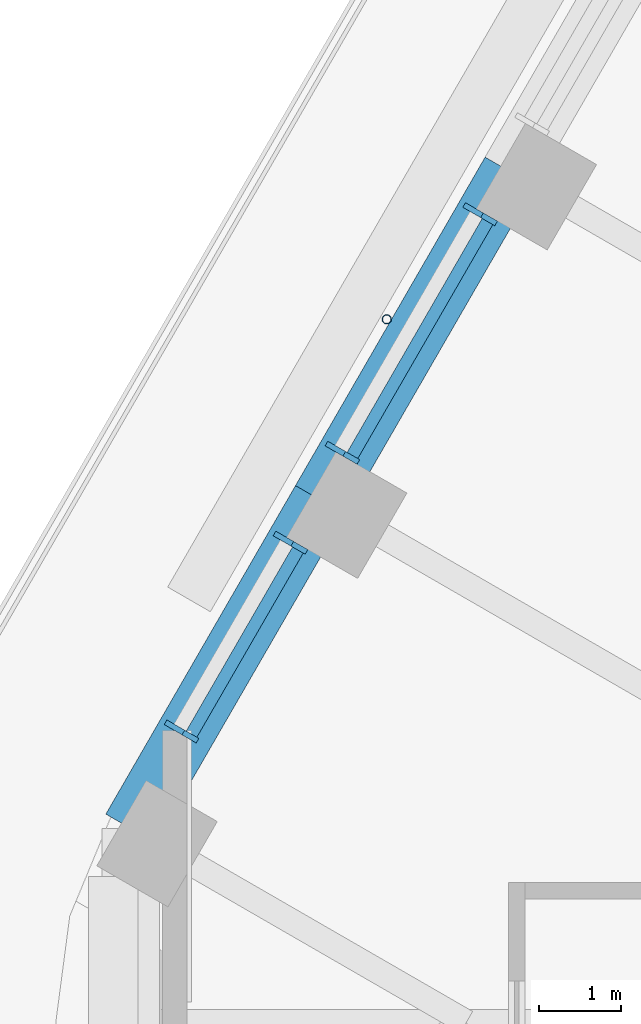
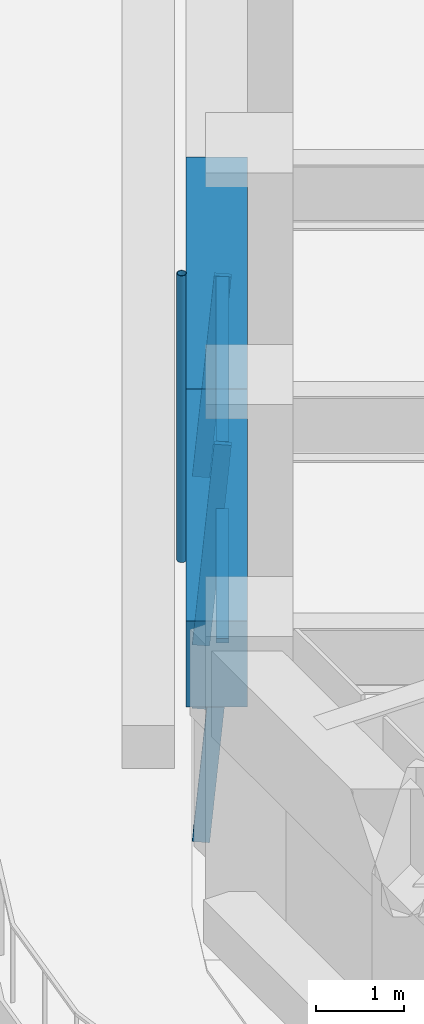
# One storey, part 6 of 20: 7 members, 2 beams, 2 elements without a shape of their own.
"""IFC4 building model written with IfcOpenShell, lengths in metres."""

from ifc_helpers import new_model, si_unit, direction, frame, origin, origin_2d, place, context, subcontext, project, spatial, rectangle, hollow_circle, extrude, material, material_profile, profile_set, type_object, element, aggregate, save


model = new_model("IFC4")

# Units and contexts
model_context = context("Model", 3, precision=1e-05, world=origin(), true_north=direction((0.0, 1.0)))
body_context = subcontext(model_context, "Body", "Model", "MODEL_VIEW")
ifc_project = project(units=[si_unit("LENGTHUNIT", "METRE"), si_unit("AREAUNIT", "SQUARE_METRE"), si_unit("VOLUMEUNIT", "CUBIC_METRE"), si_unit("PLANEANGLEUNIT", "RADIAN"), si_unit("MASSUNIT", "GRAM", prefix="KILO")], contexts=[model_context])

# Site, building, storey
site_placement = place(None, origin())
site = spatial("IfcSite", under=ifc_project, at=site_placement, CompositionType="ELEMENT")
building_placement = place(site_placement, origin())
building = spatial("IfcBuilding", under=site, at=building_placement, Name="Tarfa Lantern Tower", CompositionType="ELEMENT")
storey_placement = place(building_placement, frame((0.0, 0.0, 257.5)))
storey = spatial("IfcBuildingStorey", under=building, at=storey_placement, Name="L58", CompositionType="ELEMENT", Elevation=257.5)

# Curtain wall, members
ifc_material_1 = material(Name="Aluminium framed curtain wall", Category="aluminium")
curtain_wall_type = type_object("IfcCurtainWallType", Name="CW3 CANTED GLAZING HIGH ZONE 2800", PredefinedType="USERDEFINED", material=ifc_material_1)
curtain_wall_1_placement = place(storey_placement, origin())
curtain_wall_1 = element("IfcCurtainWall", 1, at=curtain_wall_1_placement, inside=storey, type_object=curtain_wall_type, Name="CW3 NW L58", ObjectType="CURTAIN WALL", PredefinedType="USERDEFINED")
ifc_material_2 = material(Name="Aluminium mullion", Category="aluminium")
ifc_material_profile_1 = material_profile(ifc_material_2, rectangle(XDim=0.06494140625, YDim=0.199951171875, at=origin_2d()), Name="AL MULLION 65x200")
ifc_profile_set_1 = profile_set([ifc_material_profile_1], Name="Aluminium mullion")
member_type_1 = type_object("IfcMemberType", Name="CWM1 MULLION 65x200", PredefinedType="MULLION", material=ifc_profile_set_1)
member_1_placement = place(storey_placement, frame((-27.65380859375, 9.90234375, 0.0), z_axis=(0.077032386753, -0.044465143199, 0.996036576854), x_axis=(0.499919672301, 0.866071776036, 0.0)))
member_1 = element("IfcMember", 2, at=member_1_placement, type_object=member_type_1, Name="CW3 mullion 1", PredefinedType="MULLION", context=body_context, shape_type="SweptSolid", body=[
    extrude(rectangle(XDim=0.06494140625, YDim=0.199951171875, at=origin_2d()), origin(), (0.0, 0.0, 1.0), 2.811279296875),
])
member_2_placement = place(storey_placement, frame((-29.33056640625, 6.997802734375, 0.0), z_axis=(0.076946055247, -0.044465440504, 0.996043236603), x_axis=(0.500342721131, 0.865827443207, 0.0)))
member_2 = element("IfcMember", 3, at=member_2_placement, type_object=member_type_1, Name="CW3 mullion 2", PredefinedType="MULLION", context=body_context, shape_type="SweptSolid", body=[
    extrude(rectangle(XDim=0.06494140625, YDim=0.199951171875, at=origin_2d()), origin(), (0.0, 0.0, 1.0), 2.811279296875),
])

curtain_wall_2_placement = place(storey_placement, origin())
curtain_wall_2 = element("IfcCurtainWall", 4, at=curtain_wall_2_placement, inside=storey, type_object=curtain_wall_type, Name="CW3 NW L58", ObjectType="CURTAIN WALL", PredefinedType="USERDEFINED")
member_3_placement = place(storey_placement, frame((-29.963134765625, 5.90234375, 0.0), z_axis=(0.077032386753, -0.044465143199, 0.996036576854), x_axis=(0.499919672301, 0.866071776036, 0.0)))
member_3 = element("IfcMember", 5, at=member_3_placement, type_object=member_type_1, Name="CW3 mullion 1", PredefinedType="MULLION", context=body_context, shape_type="SweptSolid", body=[
    extrude(rectangle(XDim=0.06494140625, YDim=0.199951171875, at=origin_2d()), origin(), (0.0, 0.0, 1.0), 2.811279296875),
])
member_4_placement = place(storey_placement, frame((-31.2900390625, 3.60400390625, 0.0), z_axis=(0.077032386753, -0.044465143199, 0.996036576854), x_axis=(0.499919672301, 0.866071776036, 0.0)))
member_4 = element("IfcMember", 6, at=member_4_placement, type_object=member_type_1, Name="CW3 mullion 2", PredefinedType="MULLION", context=body_context, shape_type="SweptSolid", body=[
    extrude(rectangle(XDim=0.06494140625, YDim=0.199951171875, at=origin_2d()), origin(), (0.0, 0.0, 1.0), 2.811279296875),
])

# Member
ifc_material_3 = material(Name="Aluminium transom", Category="aluminium")
ifc_material_profile_2 = material_profile(ifc_material_3, rectangle(XDim=0.14990234375, YDim=0.06494140625, at=origin_2d()), Name="AL TRANSOM 150x65")
ifc_profile_set_2 = profile_set([ifc_material_profile_2], Name="Aluminium transom")
member_type_2 = type_object("IfcMemberType", Name="CWT1 TRANSOM 150x65", PredefinedType="USERDEFINED", material=ifc_profile_set_2)
member_5_placement = place(storey_placement, frame((-27.4560546875, 9.75048828125, 2.767578125), z_axis=(-0.499979497339, -0.866037240677, 0.0), x_axis=(0.866037240677, -0.499979497339, 0.0)))
member_5 = element("IfcMember", 7, at=member_5_placement, type_object=member_type_2, Name="CW3 transom 1.2", ObjectType="TRANSOM", PredefinedType="USERDEFINED", context=body_context, shape_type="SweptSolid", body=[
    extrude(rectangle(XDim=0.14990234375, YDim=0.06494140625, at=origin_2d()), origin(), (0.0, 0.0, 1.0), 3.288818359375),
])

aggregate(curtain_wall_1, [member_1, member_2, member_5])

member_6_placement = place(storey_placement, frame((-29.765380859375, 5.75048828125, 2.767578125), z_axis=(-0.5000136139, -0.866017543653, 0.0), x_axis=(0.866017543653, -0.5000136139, 0.0)))
member_6 = element("IfcMember", 8, at=member_6_placement, type_object=member_type_2, Name="CW3 transom 1.2", ObjectType="TRANSOM", PredefinedType="USERDEFINED", context=body_context, shape_type="SweptSolid", body=[
    extrude(rectangle(XDim=0.14990234375, YDim=0.06494140625, at=origin_2d()), origin(), (0.0, 0.0, 1.0), 2.5888671875),
])

aggregate(curtain_wall_2, [member_3, member_4, member_6])

# Beams
ifc_material_4 = material(Name="Concrete C80/95", Category="concrete")
ifc_material_profile_3 = material_profile(ifc_material_4, rectangle(XDim=0.699951171875, YDim=1.199951171875, at=origin_2d()), Name="RC 700x1200")
ifc_profile_set_3 = profile_set([ifc_material_profile_3], Name="Concrete C80/95")
beam_type = type_object("IfcBeamType", Name="EB3 RC 700x1200", PredefinedType="SPANDREL", material=ifc_profile_set_3)
beam_1_placement = place(storey_placement, frame((-27.181640625, 10.360107421875, 3.39990234375), z_axis=(-0.499987836815, -0.866032426089, 0.0), x_axis=(0.866032426089, -0.499987836815, 0.0)))
element("IfcBeam", 9, at=beam_1_placement, inside=storey, type_object=beam_type, Name="Edge beam NW4", PredefinedType="SPANDREL", context=body_context, shape_type="SweptSolid", body=[
    extrude(rectangle(XDim=0.699951171875, YDim=1.199951171875, at=origin_2d()), origin(), (0.0, 0.0, 1.0), 4.61865234375),
])
beam_2_placement = place(storey_placement, frame((-29.490966796875, 6.360107421875, 3.39990234375), z_axis=(-0.500027479704, -0.866009537788, 0.0), x_axis=(0.866009537788, -0.500027479704, 0.0)))
element("IfcBeam", 10, at=beam_2_placement, inside=storey, type_object=beam_type, Name="Edge beam NW5", PredefinedType="SPANDREL", context=body_context, shape_type="SweptSolid", body=[
    extrude(rectangle(XDim=0.699951171875, YDim=1.199951171875, at=origin_2d()), origin(), (0.0, 0.0, 1.0), 4.618896484375),
])

# Member
ifc_material_5 = material(Name="Steel S355", Category="steel")
ifc_material_profile_4 = material_profile(ifc_material_5, hollow_circle(Radius=0.05712890625, WallThickness=0.00634765625, at=origin_2d()), Name="CHS114.3x6.3")
ifc_profile_set_4 = profile_set([ifc_material_profile_4], Name="Steel S355")
member_type_3 = type_object("IfcMemberType", Name="TR1 GREEN WALL TRELLIS CHS114.3x6.3", PredefinedType="USERDEFINED", material=ifc_profile_set_4)
member_7_placement = place(storey_placement, frame((-28.682861328125, 8.56005859375, 0.0), z_axis=(0.0, 0.0, 1.0), x_axis=(1.0, 0.0, 0.0)))
element("IfcMember", 11, at=member_7_placement, inside=storey, type_object=member_type_3, Name="Trellis post NW 2", ObjectType="TRELLIS", PredefinedType="USERDEFINED", context=body_context, shape_type="SweptSolid", body=[
    extrude(hollow_circle(Radius=0.05712890625, WallThickness=0.00634765625, at=origin_2d()), origin(), (0.0, 0.0, 1.0), 4.0),
])

save(model, "model.ifc")
